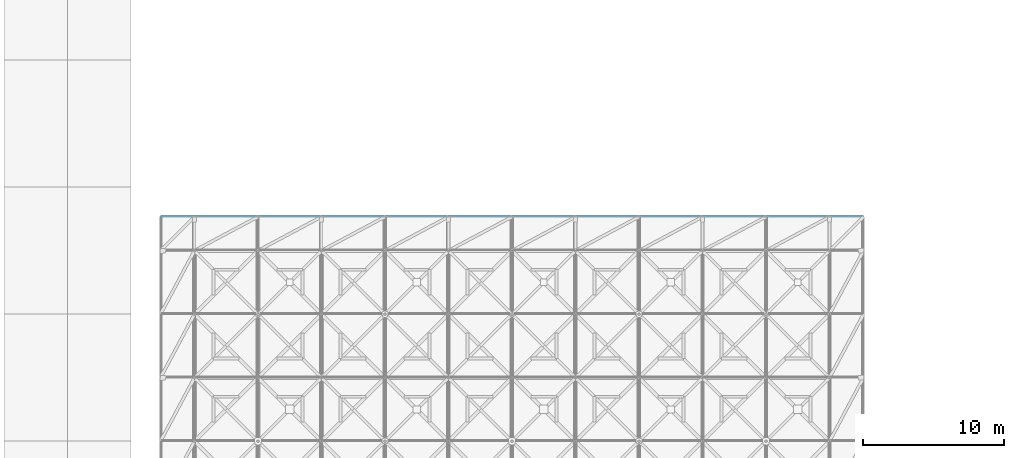
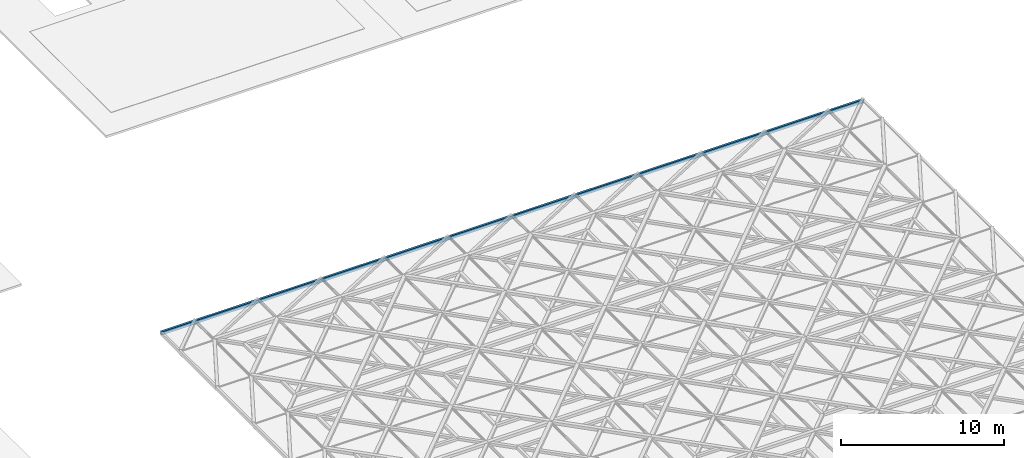
# One storey, part 57 of 80: 1 beam.
"""IFC4 building model written with IfcOpenShell, lengths in metres."""

from ifc_helpers import new_model, si_unit, direction, frame, origin, origin_2d, place, context, subcontext, project, spatial, hollow_rectangle, extrude, material, material_profile, profile_set, type_object, element, save


model = new_model("IFC4")

# Units and contexts
model_context = context("Model", 3, precision=1e-05, world=origin(), true_north=direction((0.0, 1.0)))
body_context = subcontext(model_context, "Body", "Model", "MODEL_VIEW")
ifc_project = project(units=[si_unit("LENGTHUNIT", "METRE"), si_unit("AREAUNIT", "SQUARE_METRE"), si_unit("VOLUMEUNIT", "CUBIC_METRE"), si_unit("PLANEANGLEUNIT", "RADIAN"), si_unit("MASSUNIT", "GRAM", prefix="KILO"), si_unit("THERMODYNAMICTEMPERATUREUNIT", "KELVIN"), si_unit("POWERUNIT", "WATT")], contexts=[model_context])

# Site, building, storey
site_placement = place(None, origin())
site = spatial("IfcSite", under=ifc_project, at=site_placement, CompositionType="ELEMENT")
building_placement = place(site_placement, origin())
building = spatial("IfcBuilding", under=site, at=building_placement, Name="Tallowbark Science Centre", CompositionType="ELEMENT")
storey_placement = place(building_placement, frame((0.0, 0.0, 25.949951171875)))
storey = spatial("IfcBuildingStorey", under=building, at=storey_placement, Name="ROOF", CompositionType="ELEMENT", Elevation=25.949951171875)

# Beam
ifc_material = material(Name="White Architectural Painted Steel Grade C350L0 (350 MPa)", Category="steel")
ifc_material_profile = material_profile(ifc_material, hollow_rectangle(XDim=0.14990234375, YDim=0.25, WallThickness=0.009033203125, at=origin_2d()), Name="250x150x9.0RHS")
ifc_profile_set = profile_set([ifc_material_profile], Name="White Architectural Painted Steel Grade C350L0 (350 MPa)")
beam_type = type_object("IfcBeamType", Name="SPN-RHS250", PredefinedType="SPANDREL", material=ifc_profile_set)
beam_placement = place(storey_placement, frame((56.10009765625, 42.89990234375, 0.324951171875), z_axis=(1.0, 0.0, 0.0), x_axis=(0.0, 1.0, 0.0)))
element("IfcBeam", 1, at=beam_placement, inside=storey, type_object=beam_type, Name="Star Screen Perimeter Ring Beam N-ROOF", PredefinedType="SPANDREL", context=body_context, shape_type="SweptSolid", body=[
    extrude(hollow_rectangle(XDim=0.14990234375, YDim=0.25, WallThickness=0.009033203125, at=origin_2d()), origin(), (0.0, 0.0, 1.0), 49.7998046875),
])

save(model, "model.ifc")
